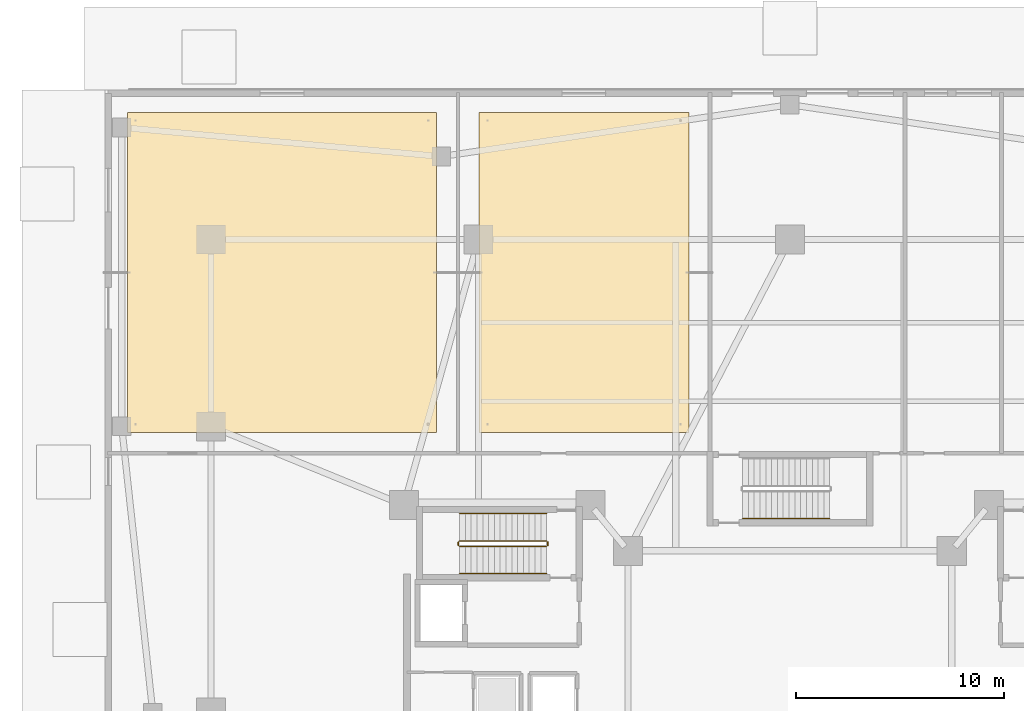
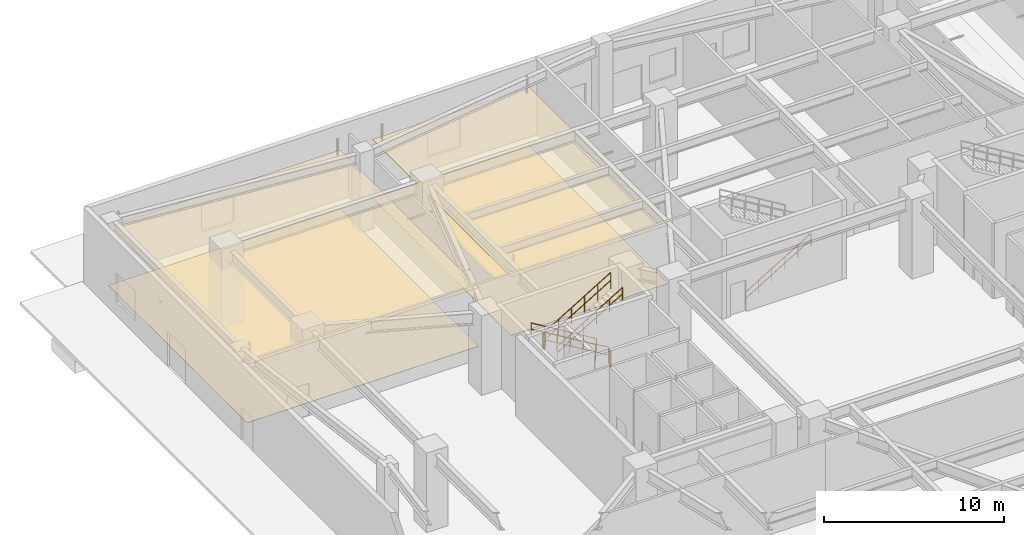
# One storey, part 15 of 18: 7 railings, 4 coverings.
"""IFC4 building model written with IfcOpenShell, lengths in metres."""

from ifc_helpers import new_model, si_unit, direction, frame, origin, origin_2d, place, context, subcontext, project, spatial, polyline, circle, outline, extrude, material, layer, layer_set, type_object, element, save


model = new_model("IFC4")

# Units and contexts
model_context = context("Model", 3, precision=1e-05, world=origin(), true_north=direction((0.0, 1.0)))
body_context = subcontext(model_context, "Body", "Model", "MODEL_VIEW")
ifc_project = project(units=[si_unit("LENGTHUNIT", "METRE"), si_unit("AREAUNIT", "SQUARE_METRE"), si_unit("VOLUMEUNIT", "CUBIC_METRE"), si_unit("PLANEANGLEUNIT", "RADIAN"), si_unit("MASSUNIT", "GRAM", prefix="KILO")], contexts=[model_context])

# Site, building, storey
site_placement = place(None, origin())
site = spatial("IfcSite", under=ifc_project, at=site_placement, CompositionType="ELEMENT")
building_placement = place(site_placement, origin())
building = spatial("IfcBuilding", under=site, at=building_placement, Name="Tarnavaz Court Tower", CompositionType="ELEMENT")
storey_placement = place(building_placement, origin())
storey = spatial("IfcBuildingStorey", under=building, at=storey_placement, Name="L00", CompositionType="ELEMENT", Elevation=0.0)

# Coverings
ifc_material_1 = material(Name="Perforated Gypsum Acoustic Ceiling Tile", Category="masonry")
ifc_layer_1 = layer(ifc_material_1, 0.02490234375)
ifc_layer_set_1 = layer_set([ifc_layer_1], Name="Perforated Gypsum Acoustic Ceiling Tile")
covering_type_1 = type_object("IfcCoveringType", Name="CV-CEIL-AC", PredefinedType="CEILING", material=ifc_layer_set_1)
covering_1_placement = place(storey_placement, frame((0.0, 0.0, 3.97998046875)))
element("IfcCovering", 1, at=covering_1_placement, inside=storey, type_object=covering_type_1, Name="L00 Outpatient Clinic Triage and Registration Hall Suspended Acoustic Ceiling", PredefinedType="CEILING", context=body_context, shape_type="SweptSolid", body=[
    extrude(outline(polyline([(-31.929931640625, 13.5), (-17.030029296875, 13.5), (-17.030029296875, 28.929931640625), (-31.929931640625, 28.929931640625), (-31.929931640625, 13.5)])), origin(), (0.0, 0.0, 1.0), 0.02490234375),
])
covering_2_placement = place(storey_placement, frame((0.0, 0.0, 3.97998046875)))
element("IfcCovering", 2, at=covering_2_placement, inside=storey, type_object=covering_type_1, Name="L00 Outpatient Pharmacy and Dispensary Suspended Acoustic Ceiling", PredefinedType="CEILING", context=body_context, shape_type="SweptSolid", body=[
    extrude(outline(polyline([(-14.969970703125, 13.5), (-4.8701171875, 13.5), (-4.8701171875, 28.929931640625), (-14.969970703125, 28.929931640625), (-14.969970703125, 13.5)])), origin(), (0.0, 0.0, 1.0), 0.02490234375),
])
ifc_material_2 = material(Name="Glazed Khorasan Porcelain Floor Tile", Category="masonry")
ifc_layer_2 = layer(ifc_material_2, 0.02001953125)
ifc_layer_set_2 = layer_set([ifc_layer_2], Name="Glazed Khorasan Porcelain Floor Tile")
covering_type_2 = type_object("IfcCoveringType", Name="CV-FLR-PORC", PredefinedType="FLOORING", material=ifc_layer_set_2)
covering_3_placement = place(storey_placement, origin())
element("IfcCovering", 3, at=covering_3_placement, inside=storey, type_object=covering_type_2, Name="L00 Outpatient Clinic Triage and Registration Hall Porcelain Floor Finish", PredefinedType="FLOORING", context=body_context, shape_type="SweptSolid", body=[
    extrude(outline(polyline([(-31.929931640625, 13.5), (-17.030029296875, 13.5), (-17.030029296875, 28.929931640625), (-31.929931640625, 28.929931640625), (-31.929931640625, 13.5)])), origin(), (0.0, 0.0, 1.0), 0.02001953125),
])
covering_4_placement = place(storey_placement, origin())
element("IfcCovering", 4, at=covering_4_placement, inside=storey, type_object=covering_type_2, Name="L00 Outpatient Pharmacy and Dispensary Porcelain Floor Finish", PredefinedType="FLOORING", context=body_context, shape_type="SweptSolid", body=[
    extrude(outline(polyline([(-14.969970703125, 13.5), (-4.8701171875, 13.5), (-4.8701171875, 28.929931640625), (-14.969970703125, 28.929931640625), (-14.969970703125, 13.5)])), origin(), (0.0, 0.0, 1.0), 0.02001953125),
])

# Railings
ifc_material_3 = material(Name="Brushed Stainless Steel", Category="steel")
railing_type_1 = type_object("IfcRailingType", Name="RL-HANDRAIL-900", PredefinedType="HANDRAIL", material=ifc_material_3)
railing_1_placement = place(storey_placement, frame((-11.719970703125, 9.590087890625, 0.168701171875)))
element("IfcRailing", 5, at=railing_1_placement, inside=storey, type_object=railing_type_1, Name="L00 ST-W1 stair handrail 1", PredefinedType="HANDRAIL", context=body_context, shape_type="SweptSolid", body=[
    extrude(circle(Radius=0.02392578125, at=origin_2d()), frame((0.0, 0.0, 0.8759765625), z_axis=(-0.856476492594, 0.0, 0.516186030065), x_axis=(0.0, -1.0, 0.0)), (0.0, 0.0, 1.0), 4.90380859375),
    extrude(circle(Radius=0.02392578125, at=origin_2d()), frame((0.0, 0.0, 0.449951171875), z_axis=(-0.856476492594, 0.0, 0.516186030065), x_axis=(0.0, -1.0, 0.0)), (0.0, 0.0, 1.0), 4.90380859375),
    extrude(circle(Radius=0.02099609375, at=origin_2d()), origin(), (0.0, 0.0, 1.0), 0.851806640625),
    extrude(circle(Radius=0.02099609375, at=origin_2d()), frame((-0.840087890625, 0.0, 0.50634765625)), (0.0, 0.0, 1.0), 0.851806640625),
    extrude(circle(Radius=0.02099609375, at=origin_2d()), frame((-1.679931640625, 0.0, 1.012451171875)), (0.0, 0.0, 1.0), 0.851806640625),
    extrude(circle(Radius=0.02099609375, at=origin_2d()), frame((-2.52001953125, 0.0, 1.518798828125)), (0.0, 0.0, 1.0), 0.851806640625),
    extrude(circle(Radius=0.02099609375, at=origin_2d()), frame((-3.35986328125, 0.0, 2.02490234375)), (0.0, 0.0, 1.0), 0.851806640625),
    extrude(circle(Radius=0.02099609375, at=origin_2d()), frame((-4.199951171875, 0.0, 2.53125)), (0.0, 0.0, 1.0), 0.851806640625),
])
for number, where, name in (
    (6, (-15.919921875, 6.699951171875, 2.86865234375), "L00 ST-W1 stair handrail 2"),
    (7, (-2.280029296875, 9.35009765625, 0.168701171875), "L00 ST-N1 stair handrail 1"),
):
    element("IfcRailing", number, at=place(storey_placement, frame(where)), inside=storey, type_object=railing_type_1, Name=name, PredefinedType="HANDRAIL", context=body_context, shape_type="SweptSolid", body=[
        extrude(circle(Radius=0.02392578125, at=origin_2d()), frame((0.0, 0.0, 0.8759765625), z_axis=(0.856476492594, 0.0, 0.516186030065), x_axis=(0.0, 1.0, 0.0)), (0.0, 0.0, 1.0), 4.90380859375),
        extrude(circle(Radius=0.02392578125, at=origin_2d()), frame((0.0, 0.0, 0.449951171875), z_axis=(0.856476492594, 0.0, 0.516186030065), x_axis=(0.0, 1.0, 0.0)), (0.0, 0.0, 1.0), 4.90380859375),
        extrude(circle(Radius=0.02099609375, at=origin_2d()), origin(), (0.0, 0.0, 1.0), 0.851806640625),
        extrude(circle(Radius=0.02099609375, at=origin_2d()), frame((0.840087890625, 0.0, 0.50634765625)), (0.0, 0.0, 1.0), 0.851806640625),
        extrude(circle(Radius=0.02099609375, at=origin_2d()), frame((1.679931640625, 0.0, 1.012451171875)), (0.0, 0.0, 1.0), 0.851806640625),
        extrude(circle(Radius=0.02099609375, at=origin_2d()), frame((2.52001953125, 0.0, 1.518798828125)), (0.0, 0.0, 1.0), 0.851806640625),
        extrude(circle(Radius=0.02099609375, at=origin_2d()), frame((3.35986328125, 0.0, 2.02490234375)), (0.0, 0.0, 1.0), 0.851806640625),
        extrude(circle(Radius=0.02099609375, at=origin_2d()), frame((4.199951171875, 0.0, 2.53125)), (0.0, 0.0, 1.0), 0.851806640625),
    ])
ifc_material_4 = material(Name="Galvanized Painted Tubular Steel", Category="steel")
railing_type_2 = type_object("IfcRailingType", Name="RL-STGUARD-1120", PredefinedType="GUARDRAIL", material=ifc_material_4)
railing_2_placement = place(storey_placement, frame((-11.719970703125, 8.27001953125, 0.168701171875)))
element("IfcRailing", 8, at=railing_2_placement, inside=storey, type_object=railing_type_2, Name="L00 ST-W1 stair guard 1", PredefinedType="GUARDRAIL", context=body_context, shape_type="SweptSolid", body=[
    extrude(circle(Radius=0.02392578125, at=origin_2d()), frame((0.0, 0.0, 1.09619140625), z_axis=(-0.856476492594, 0.0, 0.516186030065), x_axis=(0.0, -1.0, 0.0)), (0.0, 0.0, 1.0), 4.90380859375),
    extrude(circle(Radius=0.02392578125, at=origin_2d()), frame((0.0, 0.0, 0.56005859375), z_axis=(-0.856476492594, 0.0, 0.516186030065), x_axis=(0.0, -1.0, 0.0)), (0.0, 0.0, 1.0), 4.90380859375),
    extrude(circle(Radius=0.02099609375, at=origin_2d()), origin(), (0.0, 0.0, 1.0), 1.072021484375),
    extrude(circle(Radius=0.02099609375, at=origin_2d()), frame((-0.840087890625, 0.0, 0.50634765625)), (0.0, 0.0, 1.0), 1.072021484375),
    extrude(circle(Radius=0.02099609375, at=origin_2d()), frame((-1.679931640625, 0.0, 1.012451171875)), (0.0, 0.0, 1.0), 1.072021484375),
    extrude(circle(Radius=0.02099609375, at=origin_2d()), frame((-2.52001953125, 0.0, 1.518798828125)), (0.0, 0.0, 1.0), 1.072021484375),
    extrude(circle(Radius=0.02099609375, at=origin_2d()), frame((-3.35986328125, 0.0, 2.02490234375)), (0.0, 0.0, 1.0), 1.072021484375),
    extrude(circle(Radius=0.02099609375, at=origin_2d()), frame((-4.199951171875, 0.0, 2.53125)), (0.0, 0.0, 1.0), 1.072021484375),
])
railing_3_placement = place(storey_placement, frame((-15.969970703125, 8.219970703125, 2.699951171875)))
element("IfcRailing", 9, at=railing_3_placement, inside=storey, type_object=railing_type_2, Name="L00 ST-W1 stair guard 2", PredefinedType="GUARDRAIL", context=body_context, shape_type="SweptSolid", body=[
    extrude(circle(Radius=0.02392578125, at=origin_2d()), frame((0.0, 0.0, 1.09619140625), z_axis=(0.0, -1.0, 0.0), x_axis=(1.0, 0.0, 0.0)), (0.0, 0.0, 1.0), 0.14990234375),
    extrude(circle(Radius=0.02392578125, at=origin_2d()), frame((0.0, 0.0, 0.56005859375), z_axis=(0.0, -1.0, 0.0), x_axis=(1.0, 0.0, 0.0)), (0.0, 0.0, 1.0), 0.14990234375),
    extrude(circle(Radius=0.02099609375, at=origin_2d()), origin(), (0.0, 0.0, 1.0), 1.072021484375),
    extrude(circle(Radius=0.02099609375, at=origin_2d()), frame((0.0, -0.14990234375, 0.0)), (0.0, 0.0, 1.0), 1.072021484375),
])
railing_4_placement = place(storey_placement, frame((-15.919921875, 8.02001953125, 2.86865234375)))
element("IfcRailing", 10, at=railing_4_placement, inside=storey, type_object=railing_type_2, Name="L00 ST-W1 stair guard 3", PredefinedType="GUARDRAIL", context=body_context, shape_type="SweptSolid", body=[
    extrude(circle(Radius=0.02392578125, at=origin_2d()), frame((0.0, 0.0, 1.09619140625), z_axis=(0.856476492594, 0.0, 0.516186030065), x_axis=(0.0, 1.0, 0.0)), (0.0, 0.0, 1.0), 4.90380859375),
    extrude(circle(Radius=0.02392578125, at=origin_2d()), frame((0.0, 0.0, 0.56005859375), z_axis=(0.856476492594, 0.0, 0.516186030065), x_axis=(0.0, 1.0, 0.0)), (0.0, 0.0, 1.0), 4.90380859375),
    extrude(circle(Radius=0.02099609375, at=origin_2d()), origin(), (0.0, 0.0, 1.0), 1.072021484375),
    extrude(circle(Radius=0.02099609375, at=origin_2d()), frame((0.840087890625, 0.0, 0.50634765625)), (0.0, 0.0, 1.0), 1.072021484375),
    extrude(circle(Radius=0.02099609375, at=origin_2d()), frame((1.679931640625, 0.0, 1.012451171875)), (0.0, 0.0, 1.0), 1.072021484375),
    extrude(circle(Radius=0.02099609375, at=origin_2d()), frame((2.52001953125, 0.0, 1.518798828125)), (0.0, 0.0, 1.0), 1.072021484375),
    extrude(circle(Radius=0.02099609375, at=origin_2d()), frame((3.35986328125, 0.0, 2.02490234375)), (0.0, 0.0, 1.0), 1.072021484375),
    extrude(circle(Radius=0.02099609375, at=origin_2d()), frame((4.199951171875, 0.0, 2.53125)), (0.0, 0.0, 1.0), 1.072021484375),
])
railing_5_placement = place(storey_placement, frame((-11.669921875, 8.219970703125, 0.0)))
element("IfcRailing", 11, at=railing_5_placement, inside=storey, type_object=railing_type_2, Name="L00 ST-W1 stair guard 4", PredefinedType="GUARDRAIL", context=body_context, shape_type="SweptSolid", body=[
    extrude(circle(Radius=0.02392578125, at=origin_2d()), frame((0.0, 0.0, 1.09619140625), z_axis=(0.0, -1.0, 0.0), x_axis=(1.0, 0.0, 0.0)), (0.0, 0.0, 1.0), 0.14990234375),
    extrude(circle(Radius=0.02392578125, at=origin_2d()), frame((0.0, 0.0, 0.56005859375), z_axis=(0.0, -1.0, 0.0), x_axis=(1.0, 0.0, 0.0)), (0.0, 0.0, 1.0), 0.14990234375),
    extrude(circle(Radius=0.02099609375, at=origin_2d()), origin(), (0.0, 0.0, 1.0), 1.072021484375),
    extrude(circle(Radius=0.02099609375, at=origin_2d()), frame((0.0, -0.14990234375, 0.0)), (0.0, 0.0, 1.0), 1.072021484375),
])

save(model, "model.ifc")
